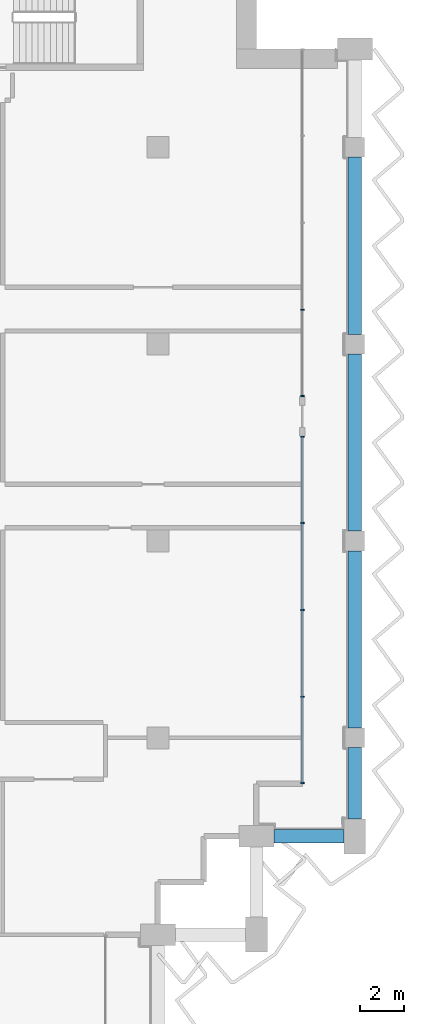
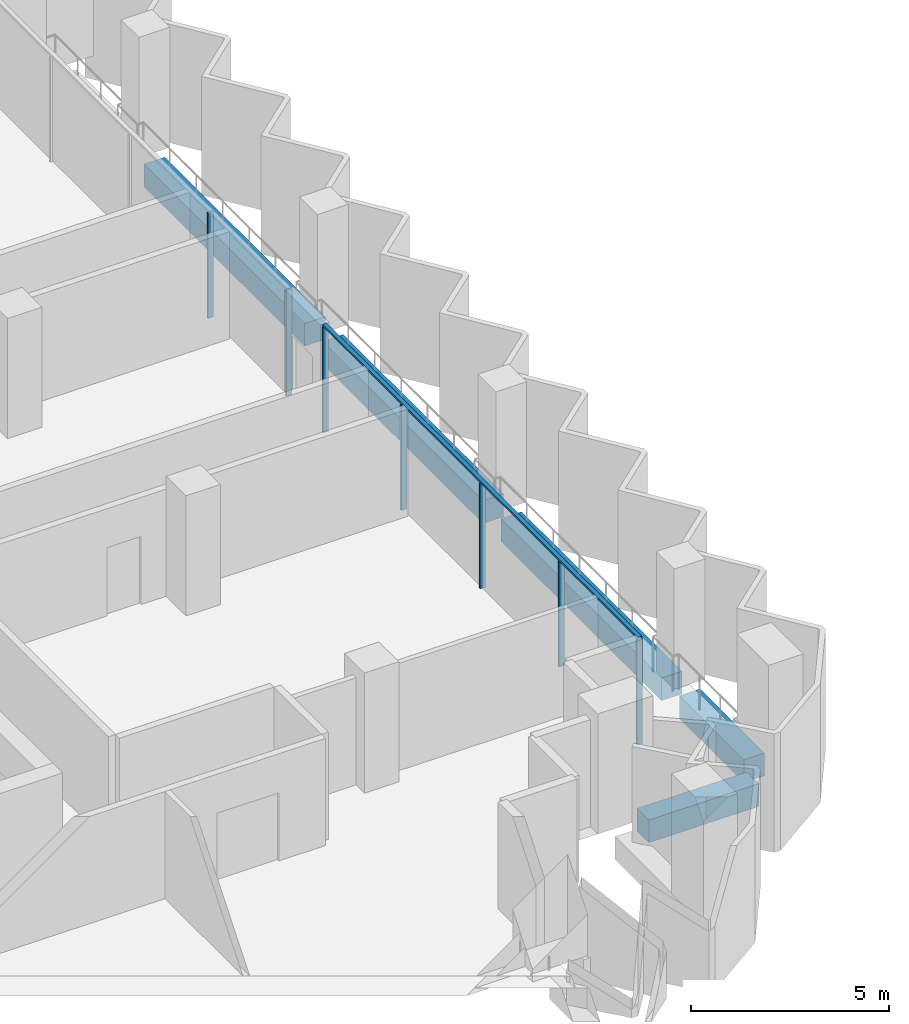
# One storey, part 4 of 16: 8 members, 5 beams, 2 elements without a shape of their own.
"""IFC4 building model written with IfcOpenShell, lengths in metres."""

from ifc_helpers import new_model, si_unit, direction, frame, origin, origin_2d, place, context, subcontext, project, spatial, rectangle, extrude, material, material_profile, profile_set, type_object, element, aggregate, save


model = new_model("IFC4")

# Units and contexts
model_context = context("Model", 3, precision=1e-05, world=origin(), true_north=direction((0.0, 1.0)))
body_context = subcontext(model_context, "Body", "Model", "MODEL_VIEW")
ifc_project = project(units=[si_unit("LENGTHUNIT", "METRE"), si_unit("AREAUNIT", "SQUARE_METRE"), si_unit("VOLUMEUNIT", "CUBIC_METRE"), si_unit("PLANEANGLEUNIT", "RADIAN"), si_unit("MASSUNIT", "GRAM", prefix="KILO")], contexts=[model_context])

# Site, building, storey
site_placement = place(None, origin())
site = spatial("IfcSite", under=ifc_project, at=site_placement, CompositionType="ELEMENT")
building_placement = place(site_placement, origin())
building = spatial("IfcBuilding", under=site, at=building_placement, Name="Hunhe Ridgeline Campus", CompositionType="ELEMENT")
storey_placement = place(building_placement, frame((0.0, 0.0, 250.300048828125)))
storey = spatial("IfcBuildingStorey", under=building, at=storey_placement, Name="L64", CompositionType="ELEMENT", Elevation=250.300048828125)

# Curtain wall, members
ifc_material_1 = material(Name="Aluminium 6063", Category="aluminium")
curtain_wall_type = type_object("IfcCurtainWallType", Name="Curtain wall CW-1", PredefinedType="NOTDEFINED", material=ifc_material_1)
curtain_wall_1_placement = place(storey_placement, origin())
curtain_wall_1 = element("IfcCurtainWall", 1, at=curtain_wall_1_placement, inside=storey, type_object=curtain_wall_type, Name="Curtain wall 12", PredefinedType="NOTDEFINED")
ifc_material_profile_1 = material_profile(ifc_material_1, rectangle(XDim=0.159912109375, YDim=0.06005859375, at=origin_2d()))
ifc_profile_set_1 = profile_set([ifc_material_profile_1], Name="Aluminium 6063")
member_type_1 = type_object("IfcMemberType", Name="CW-1 aluminium mullion", PredefinedType="MULLION", material=ifc_profile_set_1)
member_1_placement = place(storey_placement, frame((51.59912109375, 60.930908203125, 0.0), z_axis=(0.0, 0.0, 1.0), x_axis=(-1.0, 0.0, 0.0)))
member_1 = element("IfcMember", 2, at=member_1_placement, type_object=member_type_1, Name="CW-1 mullion 1", PredefinedType="MULLION", context=body_context, shape_type="SweptSolid", body=[
    extrude(rectangle(XDim=0.159912109375, YDim=0.06005859375, at=origin_2d()), origin(), (0.0, 0.0, 1.0), 3.239990234375),
])
member_2_placement = place(storey_placement, frame((51.59912109375, 64.8759765625, 0.0), z_axis=(0.0, 0.0, 1.0), x_axis=(-1.0, 0.0, 0.0)))
member_2 = element("IfcMember", 3, at=member_2_placement, type_object=member_type_1, Name="CW-1 mullion 2", PredefinedType="MULLION", context=body_context, shape_type="SweptSolid", body=[
    extrude(rectangle(XDim=0.159912109375, YDim=0.06005859375, at=origin_2d()), origin(), (0.0, 0.0, 1.0), 3.239990234375),
])
member_3_placement = place(storey_placement, frame((51.59912109375, 68.850830078125, 0.0), z_axis=(0.0, 0.0, 1.0), x_axis=(-1.0, 0.0, 0.0)))
member_3 = element("IfcMember", 4, at=member_3_placement, type_object=member_type_1, Name="CW-1 mullion 3", PredefinedType="MULLION", context=body_context, shape_type="SweptSolid", body=[
    extrude(rectangle(XDim=0.159912109375, YDim=0.06005859375, at=origin_2d()), origin(), (0.0, 0.0, 1.0), 3.239990234375),
])
member_4_placement = place(storey_placement, frame((51.59912109375, 72.82568359375, 0.0), z_axis=(0.0, 0.0, 1.0), x_axis=(-1.0, 0.0, 0.0)))
member_4 = element("IfcMember", 5, at=member_4_placement, type_object=member_type_1, Name="CW-1 mullion 4", PredefinedType="MULLION", context=body_context, shape_type="SweptSolid", body=[
    extrude(rectangle(XDim=0.159912109375, YDim=0.06005859375, at=origin_2d()), origin(), (0.0, 0.0, 1.0), 3.239990234375),
])
member_5_placement = place(storey_placement, frame((51.59912109375, 76.7705078125, 0.0), z_axis=(0.0, 0.0, 1.0), x_axis=(-1.0, 0.0, 0.0)))
member_5 = element("IfcMember", 6, at=member_5_placement, type_object=member_type_1, Name="CW-1 mullion 5", PredefinedType="MULLION", context=body_context, shape_type="SweptSolid", body=[
    extrude(rectangle(XDim=0.159912109375, YDim=0.06005859375, at=origin_2d()), origin(), (0.0, 0.0, 1.0), 3.239990234375),
])

curtain_wall_2_placement = place(storey_placement, origin())
curtain_wall_2 = element("IfcCurtainWall", 7, at=curtain_wall_2_placement, inside=storey, type_object=curtain_wall_type, Name="Curtain wall 13", PredefinedType="NOTDEFINED")
member_6_placement = place(storey_placement, frame((51.59912109375, 78.630615234375, 0.0), z_axis=(0.0, 0.0, 1.0), x_axis=(-1.0, 0.0, 0.0)))
member_6 = element("IfcMember", 8, at=member_6_placement, type_object=member_type_1, Name="CW-1 mullion 1", PredefinedType="MULLION", context=body_context, shape_type="SweptSolid", body=[
    extrude(rectangle(XDim=0.159912109375, YDim=0.06005859375, at=origin_2d()), origin(), (0.0, 0.0, 1.0), 3.239990234375),
])
member_7_placement = place(storey_placement, frame((51.59912109375, 82.575439453125, 0.0), z_axis=(0.0, 0.0, 1.0), x_axis=(-1.0, 0.0, 0.0)))
member_7 = element("IfcMember", 9, at=member_7_placement, type_object=member_type_1, Name="CW-1 mullion 2", PredefinedType="MULLION", context=body_context, shape_type="SweptSolid", body=[
    extrude(rectangle(XDim=0.159912109375, YDim=0.06005859375, at=origin_2d()), origin(), (0.0, 0.0, 1.0), 3.239990234375),
])
aggregate(curtain_wall_2, [member_6, member_7])

# Member
ifc_material_profile_2 = material_profile(ifc_material_1, rectangle(XDim=0.1201171875, YDim=0.06005859375, at=origin_2d()))
ifc_profile_set_2 = profile_set([ifc_material_profile_2], Name="Aluminium 6063")
member_type_2 = type_object("IfcMemberType", Name="CW-1 aluminium transom", PredefinedType="USERDEFINED", material=ifc_profile_set_2)
member_8_placement = place(storey_placement, frame((51.59912109375, 60.90087890625, 3.27001953125), z_axis=(0.0, 1.0, 0.0), x_axis=(-1.0, 0.0, 0.0)))
member_8 = element("IfcMember", 10, at=member_8_placement, type_object=member_type_2, Name="CW-1 transom 1", ObjectType="TRANSOM", PredefinedType="USERDEFINED", context=body_context, shape_type="SweptSolid", body=[
    extrude(rectangle(XDim=0.1201171875, YDim=0.06005859375, at=origin_2d()), origin(), (0.0, 0.0, 1.0), 15.899658203125),
])

aggregate(curtain_wall_1, [member_8, member_1, member_2, member_3, member_4, member_5])

# Beams
ifc_material_2 = material(Name="Concrete C50", Category="concrete")
ifc_material_profile_3 = material_profile(ifc_material_2, rectangle(XDim=0.60009765625, YDim=0.699951171875, at=origin_2d()))
ifc_profile_set_3 = profile_set([ifc_material_profile_3], Name="Concrete C50")
beam_type = type_object("IfcBeamType", Name="RC spandrel beam 600x700 Concrete C50", PredefinedType="SPANDREL", material=ifc_profile_set_3)
beam_1_placement = place(storey_placement, frame((50.300048828125, 58.5, -0.60009765625), z_axis=(1.0, 0.0, 0.0), x_axis=(0.0, 1.0, 0.0)))
element("IfcBeam", 11, at=beam_1_placement, inside=storey, type_object=beam_type, Name="Spandrel beam B4-12 L64", PredefinedType="SPANDREL", context=body_context, shape_type="SweptSolid", body=[
    extrude(rectangle(XDim=0.60009765625, YDim=0.699951171875, at=origin_2d()), origin(), (0.0, 0.0, 1.0), 3.199951171875),
])
beam_2_placement = place(storey_placement, frame((54.0, 59.300048828125, -0.60009765625), z_axis=(0.0, 1.0, 0.0), x_axis=(-1.0, 0.0, 0.0)))
element("IfcBeam", 12, at=beam_2_placement, inside=storey, type_object=beam_type, Name="Spandrel beam B4-13 L64", PredefinedType="SPANDREL", context=body_context, shape_type="SweptSolid", body=[
    extrude(rectangle(XDim=0.60009765625, YDim=0.699951171875, at=origin_2d()), origin(), (0.0, 0.0, 1.0), 3.25),
])
for number, where, z_axis, x_axis, name in (
    (13, (54.0, 63.449951171875, -0.60009765625), (0.0, 1.0, 0.0), (-1.0, 0.0, 0.0), "Spandrel beam B4-14 L64"),
    (14, (54.0, 72.449951171875, -0.60009765625), (0.0, 1.0, 0.0), (-1.0, 0.0, 0.0), "Spandrel beam B4-15 L64"),
    (15, (54.0, 81.449951171875, -0.60009765625), (0.0, 1.0, 0.0), (-1.0, 0.0, 0.0), "Spandrel beam B4-16 L64"),
):
    element("IfcBeam", number, at=place(storey_placement, frame(where, z_axis=z_axis, x_axis=x_axis)), inside=storey, type_object=beam_type, Name=name, PredefinedType="SPANDREL", context=body_context, shape_type="SweptSolid", body=[
        extrude(rectangle(XDim=0.60009765625, YDim=0.699951171875, at=origin_2d()), origin(), (0.0, 0.0, 1.0), 8.10009765625),
    ])

save(model, "model.ifc")
